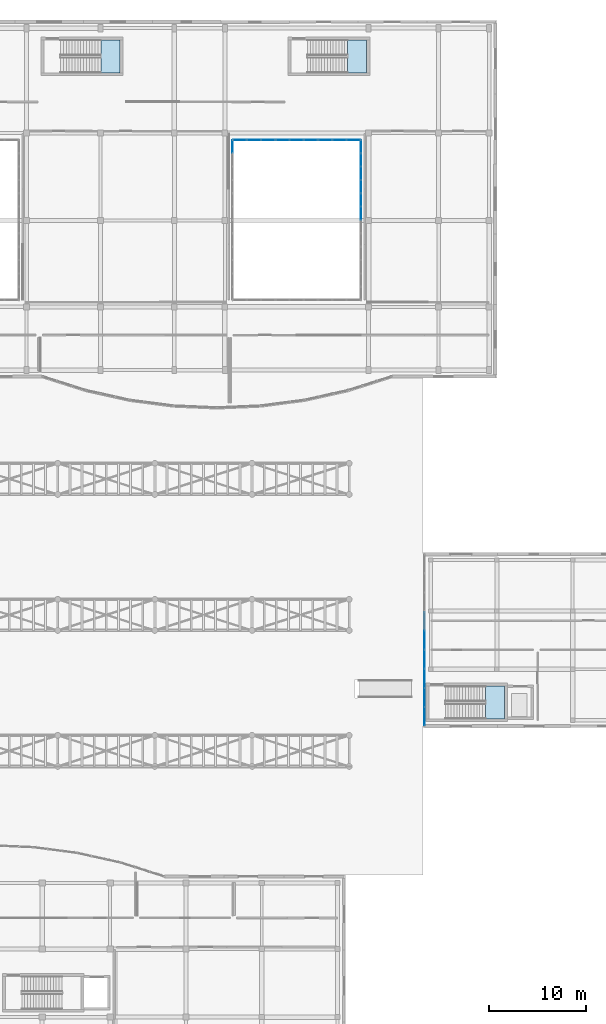
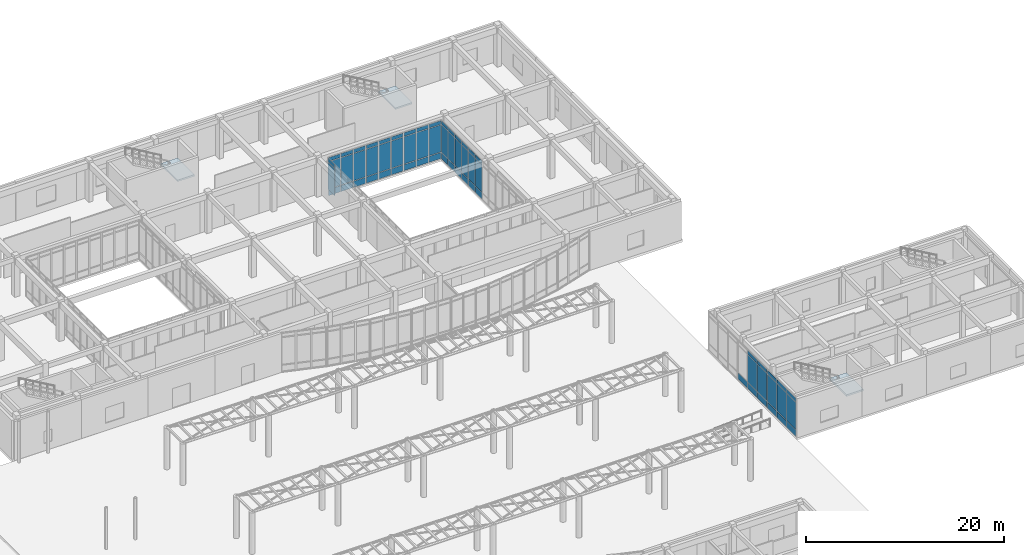
# One storey, part 87 of 121: 63 plates, 3 slabs, 11 elements without a shape of their own.
"""IFC4 building model written with IfcOpenShell, lengths in metres."""

import ifcopenshell
import ifcopenshell.guid

model = None  # the IFC model being written
_history = None  # IfcOwnerHistory: only IFC2X3 demands one
_inside = {}  # id of a spatial element -> (the spatial element, [elements in it])
_under = {}  # id of a project, library or spatial element -> (it, [spatial elements below it])
_declared = {}  # id of a project -> (the project, [libraries it declares])
_typed = {}  # id of a type object -> (the type object, [elements of that type])
_made_of = {}  # id of a material, layer set ... -> (it, [elements and type objects made of it])


def new_model(schema):
    """Start an empty IFC model of exactly this schema.

    Asked for "IFC4X3", IfcOpenShell would pick the latest addendum, in which some entities
    have other attributes; the version numbers below select the first issue.
    IFC2X3 requires an IfcOwnerHistory on every rooted entity: one is made here for all.
    """
    global model, _history
    if schema == "IFC4X3":
        model = ifcopenshell.file(schema_version=(4, 3, 0, 0))
    else:
        model = ifcopenshell.file(schema=schema)
    _inside.clear()
    _under.clear()
    _declared.clear()
    _typed.clear()
    _made_of.clear()
    _history = None
    if model.schema == "IFC2X3":
        org = make("IfcOrganization", Name="unknown")
        user = make(
            "IfcPersonAndOrganization",
            ThePerson=make("IfcPerson", FamilyName="unknown"),
            TheOrganization=org,
        )
        app = make(
            "IfcApplication",
            ApplicationDeveloper=org,
            Version="unknown",
            ApplicationFullName="unknown",
            ApplicationIdentifier="unknown",
        )
        _history = make(
            "IfcOwnerHistory",
            OwningUser=user,
            OwningApplication=app,
            ChangeAction="ADDED",
            CreationDate=0,
        )
    return model


def make(cls, **values):
    """One entity of the class cls with the attributes given. An attribute that is None is left unset."""
    return model.create_entity(
        cls, **{name: value for name, value in values.items() if value is not None}
    )


def rooted(cls, **values):
    """An entity with a GlobalId (a new one), such as an element, a storey or a relation."""
    return make(cls, GlobalId=ifcopenshell.guid.new(), OwnerHistory=_history, **values)


def si_unit(unit_type, name, prefix=None):
    """IfcSIUnit, for example si_unit("LENGTHUNIT", "METRE", prefix="MILLI")."""
    return make("IfcSIUnit", UnitType=unit_type, Prefix=prefix, Name=name)


def assignment(units):
    """IfcUnitAssignment: the units of a project."""
    return None if units is None else make("IfcUnitAssignment", Units=units)


def point(xyz):
    """IfcCartesianPoint."""
    return None if xyz is None else make("IfcCartesianPoint", Coordinates=xyz)


def direction(xyz):
    """IfcDirection."""
    return None if xyz is None else make("IfcDirection", DirectionRatios=xyz)


def frame(location, z_axis=None, x_axis=None):
    """IfcAxis2Placement3D, a coordinate frame: its origin and axes. An axis left out is left unset."""
    return make(
        "IfcAxis2Placement3D",
        Location=point(location),
        Axis=direction(z_axis),
        RefDirection=direction(x_axis),
    )


def frame_2d(location, x_axis=None):
    """IfcAxis2Placement2D, a coordinate frame in the plane: its origin and x axis."""
    return make(
        "IfcAxis2Placement2D", Location=point(location), RefDirection=direction(x_axis)
    )


def origin():
    """The frame at (0, 0, 0) with its axes left unset."""
    return frame((0.0, 0.0, 0.0))


def origin_2d():
    """The frame at (0, 0) in the plane with its x axis left unset."""
    return frame_2d((0.0, 0.0))


def place(relative_to, where):
    """IfcLocalPlacement: puts the frame where relative to a parent placement (None: the world)."""
    return make(
        "IfcLocalPlacement", PlacementRelTo=relative_to, RelativePlacement=where
    )


def context(
    kind, dimensions, precision=None, world=None, true_north=None, identifier=None
):
    """IfcGeometricRepresentationContext, for example the 3D "Model" context."""
    return make(
        "IfcGeometricRepresentationContext",
        ContextIdentifier=identifier,
        ContextType=kind,
        CoordinateSpaceDimension=dimensions,
        Precision=precision,
        WorldCoordinateSystem=world,
        TrueNorth=true_north,
    )


def subcontext(parent, identifier, kind, view, scale=None):
    """IfcGeometricRepresentationSubContext, for example "Body" below "Model"."""
    return make(
        "IfcGeometricRepresentationSubContext",
        ContextIdentifier=identifier,
        ContextType=kind,
        ParentContext=parent,
        TargetScale=scale,
        TargetView=view,
    )


def project(units=None, contexts=None):
    """IfcProject with its units and contexts."""
    return rooted(
        "IfcProject",
        Name="project",
        RepresentationContexts=contexts,
        UnitsInContext=assignment(units),
    )


def spatial(cls, under=None, at=None, **own):
    """A site, building, storey or space (cls), placed at a placement, below another one or the project."""
    s = rooted(cls, ObjectPlacement=at, **own)
    if under is not None:
        _under.setdefault(under.id(), (under, []))[1].append(s)
    return s


def polyline(points):
    """IfcPolyline through the points."""
    return make("IfcPolyline", Points=[point(p) for p in points])


def profile(cls, at=None, kind="AREA", **sizes):
    """A parametric profile (cls). Its sizes go by their IFC names, for example OverallWidth=200.0."""
    return make(cls, ProfileType=kind, Position=at, **sizes)


def rectangle(**sizes):
    """IfcRectangleProfileDef."""
    return profile("IfcRectangleProfileDef", **sizes)


def outline(outer, holes=None, kind="AREA"):
    """IfcArbitraryClosedProfileDef: a profile drawn as a closed curve; with holes, ...WithVoids."""
    if holes is None:
        return make("IfcArbitraryClosedProfileDef", ProfileType=kind, OuterCurve=outer)
    return make(
        "IfcArbitraryProfileDefWithVoids",
        ProfileType=kind,
        OuterCurve=outer,
        InnerCurves=holes,
    )


def extrude(swept, where, along, depth):
    """IfcExtrudedAreaSolid: the profile swept, set in the frame where, extruded along a direction by depth."""
    return make(
        "IfcExtrudedAreaSolid",
        SweptArea=swept,
        Position=where,
        ExtrudedDirection=direction(along),
        Depth=depth,
    )


def shape(context_of_items, identifier, shape_type, items):
    """IfcShapeRepresentation: the items that make up one representation, for example the "Body"."""
    return make(
        "IfcShapeRepresentation",
        ContextOfItems=context_of_items,
        RepresentationIdentifier=identifier,
        RepresentationType=shape_type,
        Items=items,
    )


def material(Name=None, Category=None):
    """IfcMaterial."""
    return make("IfcMaterial", Name=Name, Category=Category)


def layer(
    of_material, thickness, ventilated=None, Name=None, Category=None, Priority=None
):
    """IfcMaterialLayer: one layer of a wall or slab, of a material (None: an air gap)."""
    return make(
        "IfcMaterialLayer",
        Material=of_material,
        LayerThickness=thickness,
        IsVentilated=ventilated,
        Name=Name,
        Category=Category,
        Priority=Priority,
    )


def layer_set(layers, Name=None):
    """IfcMaterialLayerSet."""
    return make("IfcMaterialLayerSet", MaterialLayers=layers, LayerSetName=Name)


def made_of(thing, what):
    """Note that an element or type object is made of a material, layer set ...; save() writes the relation."""
    if what is not None:
        _made_of.setdefault(what.id(), (what, []))[1].append(thing)
    return thing


def type_object(cls, material=None, **own):
    """A type object (cls), such as IfcWallType, which elements share."""
    return made_of(rooted(cls, **own), material)


def element(
    cls,
    number,
    at=None,
    inside=None,
    cuts=None,
    type_object=None,
    material=None,
    context=None,
    identifier="Body",
    shape_type=None,
    held_by="IfcProductDefinitionShape",
    body=None,
    shapes=None,
    **own,
):
    """One element of the class cls, such as IfcWall. Its Tag is "e" and its number.

    at: its placement. inside: the storey or other place that contains it. cuts: it is an
    opening in that element (IfcRelVoidsElement). A single representation is given by context,
    identifier, shape_type and body (its items); several are given by shapes. held_by: the class
    of the entity that holds the representations. save() writes the other relations.
    """
    e = rooted(cls, Tag="e%d" % number, ObjectPlacement=at, **own)
    if body is not None:
        shapes = [shape(context, identifier, shape_type, body)]
    if shapes is not None:
        e.Representation = make(held_by, Representations=shapes)
    if inside is not None:
        _inside.setdefault(inside.id(), (inside, []))[1].append(e)
    if cuts is not None:
        rooted(
            "IfcRelVoidsElement", RelatingBuildingElement=cuts, RelatedOpeningElement=e
        )
    if type_object is not None:
        _typed.setdefault(type_object.id(), (type_object, []))[1].append(e)
    return made_of(e, material)


def aggregate(whole, parts):
    """IfcRelAggregates: a whole, such as a stair, and the parts it consists of."""
    return rooted("IfcRelAggregates", RelatingObject=whole, RelatedObjects=parts)


def save(model, path):
    """Write the relations noted so far, then the file.

    IfcRelAggregates (storeys below a building ...), IfcRelContainedInSpatialStructure (elements
    in a storey), IfcRelDefinesByType, IfcRelAssociatesMaterial and IfcRelDeclares: one each for
    every whole, place, type object, material and project.
    """
    for whole, parts in _under.values():
        aggregate(whole, parts)
    for where, things in _inside.values():
        rooted(
            "IfcRelContainedInSpatialStructure",
            RelatedElements=things,
            RelatingStructure=where,
        )
    for kind, things in _typed.values():
        rooted("IfcRelDefinesByType", RelatedObjects=things, RelatingType=kind)
    for what, things in _made_of.values():
        rooted("IfcRelAssociatesMaterial", RelatedObjects=things, RelatingMaterial=what)
    for by, libraries in _declared.values():
        rooted("IfcRelDeclares", RelatingContext=by, RelatedDefinitions=libraries)
    model.write(path)


model = new_model("IFC4")

# Units and contexts
model_context = context("Model", 3, precision=1e-05, world=origin(), true_north=direction((0.0, 1.0)))
body_context = subcontext(model_context, "Body", "Model", "MODEL_VIEW")
ifc_project = project(units=[si_unit("LENGTHUNIT", "METRE"), si_unit("AREAUNIT", "SQUARE_METRE"), si_unit("VOLUMEUNIT", "CUBIC_METRE"), si_unit("PLANEANGLEUNIT", "RADIAN"), si_unit("MASSUNIT", "GRAM", prefix="KILO")], contexts=[model_context])

# Site, building, storey
site_placement = place(None, origin())
site = spatial("IfcSite", under=ifc_project, at=site_placement, CompositionType="ELEMENT")
building_placement = place(site_placement, origin())
building = spatial("IfcBuilding", under=site, at=building_placement, Name="Valcora Specialist Clinic", CompositionType="ELEMENT")
storey_placement = place(building_placement, origin())
storey = spatial("IfcBuildingStorey", under=building, at=storey_placement, Name="L00", CompositionType="ELEMENT", Elevation=0.0)

# Curtain wall, plates
ifc_material_1 = material(Name="Anodized Bronze Aluminium 6063-T6", Category="aluminium")
ifc_layer_1 = layer(ifc_material_1, 0.175048828125)
ifc_layer_set_1 = layer_set([ifc_layer_1], Name="Anodized Bronze Aluminium 6063-T6")
curtain_wall_type_1 = type_object("IfcCurtainWallType", Name="TY-CW-HAL18", PredefinedType="NOTDEFINED", material=ifc_layer_set_1)
curtain_wall_1_placement = place(storey_placement, origin())
curtain_wall_1 = element("IfcCurtainWall", 1, at=curtain_wall_1_placement, inside=storey, type_object=curtain_wall_type_1, Name="Curtain wall CW-L00-016", PredefinedType="NOTDEFINED")
ifc_material_2 = material(Name="Low-E Laminated Insulating Glass", Category="glass")
ifc_layer_2 = layer(ifc_material_2, 0.028076171875)
ifc_layer_set_2 = layer_set([ifc_layer_2], Name="Low-E Laminated Insulating Glass")
plate_type_1 = type_object("IfcPlateType", Name="TY-CWP-GLZ28", PredefinedType="CURTAIN_PANEL", material=ifc_layer_set_2)
plate_1_placement = place(storey_placement, frame((131.75, 45.049560546875, 0.88232421875), z_axis=(0.0, 0.0, 1.0), x_axis=(0.0, 1.0, 0.0)))
plate_1 = element("IfcPlate", 2, at=plate_1_placement, type_object=plate_type_1, Name="CW-HAL-18 panel 1.2", PredefinedType="CURTAIN_PANEL", context=body_context, shape_type="SweptSolid", body=[
    extrude(rectangle(XDim=1.869140625, YDim=0.028076171875, at=origin_2d()), origin(), (0.0, 0.0, 1.0), 3.360107421875),
])
plate_2_placement = place(storey_placement, frame((131.75, 45.049560546875, 4.3076171875), z_axis=(0.0, 0.0, 1.0), x_axis=(0.0, 1.0, 0.0)))
plate_2 = element("IfcPlate", 3, at=plate_2_placement, type_object=plate_type_1, Name="CW-HAL-18 panel 1.3", PredefinedType="CURTAIN_PANEL", context=body_context, shape_type="SweptSolid", body=[
    extrude(rectangle(XDim=1.869140625, YDim=0.028076171875, at=origin_2d()), origin(), (0.0, 0.0, 1.0), 0.452392578125),
])
plate_3_placement = place(storey_placement, frame((131.75, 47.0, 0.88232421875), z_axis=(0.0, 0.0, 1.0), x_axis=(0.0, 1.0, 0.0)))
plate_3 = element("IfcPlate", 4, at=plate_3_placement, type_object=plate_type_1, Name="CW-HAL-18 panel 2.2", PredefinedType="CURTAIN_PANEL", context=body_context, shape_type="SweptSolid", body=[
    extrude(rectangle(XDim=1.901611328125, YDim=0.028076171875, at=origin_2d()), origin(), (0.0, 0.0, 1.0), 3.360107421875),
])
plate_4_placement = place(storey_placement, frame((131.75, 47.0, 4.3076171875), z_axis=(0.0, 0.0, 1.0), x_axis=(0.0, 1.0, 0.0)))
plate_4 = element("IfcPlate", 5, at=plate_4_placement, type_object=plate_type_1, Name="CW-HAL-18 panel 2.3", PredefinedType="CURTAIN_PANEL", context=body_context, shape_type="SweptSolid", body=[
    extrude(rectangle(XDim=1.901611328125, YDim=0.028076171875, at=origin_2d()), origin(), (0.0, 0.0, 1.0), 0.452392578125),
])

ifc_layer_3 = layer(ifc_material_1, 0.175048828125)
ifc_layer_set_3 = layer_set([ifc_layer_3], Name="Anodized Bronze Aluminium 6063-T6")
curtain_wall_type_2 = type_object("IfcCurtainWallType", Name="TY-CW-CRT15", PredefinedType="NOTDEFINED", material=ifc_layer_set_3)
curtain_wall_2_placement = place(storey_placement, origin())
curtain_wall_2 = element("IfcCurtainWall", 6, at=curtain_wall_2_placement, inside=storey, type_object=curtain_wall_type_2, Name="Curtain wall CW-L00-046", PredefinedType="NOTDEFINED")
plate_5_placement = place(storey_placement, frame((125.199951171875, 93.703857421875, 0.88232421875), z_axis=(0.0, 0.0, 1.0), x_axis=(0.0, 1.0, 0.0)))
plate_5 = element("IfcPlate", 7, at=plate_5_placement, type_object=plate_type_1, Name="CW-CRT-15 panel 1.2", PredefinedType="CURTAIN_PANEL", context=body_context, shape_type="SweptSolid", body=[
    extrude(rectangle(XDim=1.277587890625, YDim=0.028076171875, at=origin_2d()), origin(), (0.0, 0.0, 1.0), 3.344970703125),
])
plate_6_placement = place(storey_placement, frame((125.199951171875, 93.703857421875, 4.29248046875), z_axis=(0.0, 0.0, 1.0), x_axis=(0.0, 1.0, 0.0)))
plate_6 = element("IfcPlate", 8, at=plate_6_placement, type_object=plate_type_1, Name="CW-CRT-15 panel 1.3", PredefinedType="CURTAIN_PANEL", context=body_context, shape_type="SweptSolid", body=[
    extrude(rectangle(XDim=1.277587890625, YDim=0.028076171875, at=origin_2d()), origin(), (0.0, 0.0, 1.0), 0.452392578125),
])
plate_7_placement = place(storey_placement, frame((125.199951171875, 95.0625, 0.88232421875), z_axis=(0.0, 0.0, 1.0), x_axis=(0.0, 1.0, 0.0)))
plate_7 = element("IfcPlate", 9, at=plate_7_placement, type_object=plate_type_1, Name="CW-CRT-15 panel 2.2", PredefinedType="CURTAIN_PANEL", context=body_context, shape_type="SweptSolid", body=[
    extrude(rectangle(XDim=1.31005859375, YDim=0.028076171875, at=origin_2d()), origin(), (0.0, 0.0, 1.0), 3.344970703125),
])
plate_8_placement = place(storey_placement, frame((125.199951171875, 95.0625, 4.29248046875), z_axis=(0.0, 0.0, 1.0), x_axis=(0.0, 1.0, 0.0)))
plate_8 = element("IfcPlate", 10, at=plate_8_placement, type_object=plate_type_1, Name="CW-CRT-15 panel 2.3", PredefinedType="CURTAIN_PANEL", context=body_context, shape_type="SweptSolid", body=[
    extrude(rectangle(XDim=1.31005859375, YDim=0.028076171875, at=origin_2d()), origin(), (0.0, 0.0, 1.0), 0.452392578125),
])
plate_9_placement = place(storey_placement, frame((125.199951171875, 96.4375, 0.88232421875), z_axis=(0.0, 0.0, 1.0), x_axis=(0.0, 1.0, 0.0)))
plate_9 = element("IfcPlate", 11, at=plate_9_placement, type_object=plate_type_1, Name="CW-CRT-15 panel 3.2", PredefinedType="CURTAIN_PANEL", context=body_context, shape_type="SweptSolid", body=[
    extrude(rectangle(XDim=1.31005859375, YDim=0.028076171875, at=origin_2d()), origin(), (0.0, 0.0, 1.0), 3.344970703125),
])
plate_10_placement = place(storey_placement, frame((125.199951171875, 96.4375, 4.29248046875), z_axis=(0.0, 0.0, 1.0), x_axis=(0.0, 1.0, 0.0)))
plate_10 = element("IfcPlate", 12, at=plate_10_placement, type_object=plate_type_1, Name="CW-CRT-15 panel 3.3", PredefinedType="CURTAIN_PANEL", context=body_context, shape_type="SweptSolid", body=[
    extrude(rectangle(XDim=1.31005859375, YDim=0.028076171875, at=origin_2d()), origin(), (0.0, 0.0, 1.0), 0.452392578125),
])
plate_11_placement = place(storey_placement, frame((125.199951171875, 97.796142578125, 0.88232421875), z_axis=(0.0, 0.0, 1.0), x_axis=(0.0, 1.0, 0.0)))
plate_11 = element("IfcPlate", 13, at=plate_11_placement, type_object=plate_type_1, Name="CW-CRT-15 panel 4.2", PredefinedType="CURTAIN_PANEL", context=body_context, shape_type="SweptSolid", body=[
    extrude(rectangle(XDim=1.277587890625, YDim=0.028076171875, at=origin_2d()), origin(), (0.0, 0.0, 1.0), 3.344970703125),
])
plate_12_placement = place(storey_placement, frame((125.199951171875, 97.796142578125, 4.29248046875), z_axis=(0.0, 0.0, 1.0), x_axis=(0.0, 1.0, 0.0)))
plate_12 = element("IfcPlate", 14, at=plate_12_placement, type_object=plate_type_1, Name="CW-CRT-15 panel 4.3", PredefinedType="CURTAIN_PANEL", context=body_context, shape_type="SweptSolid", body=[
    extrude(rectangle(XDim=1.277587890625, YDim=0.028076171875, at=origin_2d()), origin(), (0.0, 0.0, 1.0), 0.452392578125),
])

curtain_wall_3_placement = place(storey_placement, origin())
curtain_wall_3 = element("IfcCurtainWall", 15, at=curtain_wall_3_placement, inside=storey, type_object=curtain_wall_type_2, Name="Curtain wall CW-L00-048", PredefinedType="NOTDEFINED")
plate_13_placement = place(storey_placement, frame((120.050537109375, 98.5, 0.88232421875), z_axis=(0.0, 0.0, 1.0), x_axis=(-1.0, 0.0, 0.0)))
plate_13 = element("IfcPlate", 16, at=plate_13_placement, type_object=plate_type_1, Name="CW-CRT-15 panel 1.2", PredefinedType="CURTAIN_PANEL", context=body_context, shape_type="SweptSolid", body=[
    extrude(rectangle(XDim=1.369140625, YDim=0.028076171875, at=origin_2d()), origin(), (0.0, 0.0, 1.0), 3.344970703125),
])
plate_14_placement = place(storey_placement, frame((120.050537109375, 98.5, 4.29248046875), z_axis=(0.0, 0.0, 1.0), x_axis=(-1.0, 0.0, 0.0)))
plate_14 = element("IfcPlate", 17, at=plate_14_placement, type_object=plate_type_1, Name="CW-CRT-15 panel 1.3", PredefinedType="CURTAIN_PANEL", context=body_context, shape_type="SweptSolid", body=[
    extrude(rectangle(XDim=1.369140625, YDim=0.028076171875, at=origin_2d()), origin(), (0.0, 0.0, 1.0), 0.452392578125),
])
plate_15_placement = place(storey_placement, frame((118.60009765625, 98.5, 0.88232421875), z_axis=(0.0, 0.0, 1.0), x_axis=(-1.0, 0.0, 0.0)))
plate_15 = element("IfcPlate", 18, at=plate_15_placement, type_object=plate_type_1, Name="CW-CRT-15 panel 2.2", PredefinedType="CURTAIN_PANEL", context=body_context, shape_type="SweptSolid", body=[
    extrude(rectangle(XDim=1.401611328125, YDim=0.028076171875, at=origin_2d()), origin(), (0.0, 0.0, 1.0), 3.344970703125),
])
plate_16_placement = place(storey_placement, frame((118.60009765625, 98.5, 4.29248046875), z_axis=(0.0, 0.0, 1.0), x_axis=(-1.0, 0.0, 0.0)))
plate_16 = element("IfcPlate", 19, at=plate_16_placement, type_object=plate_type_1, Name="CW-CRT-15 panel 2.3", PredefinedType="CURTAIN_PANEL", context=body_context, shape_type="SweptSolid", body=[
    extrude(rectangle(XDim=1.401611328125, YDim=0.028076171875, at=origin_2d()), origin(), (0.0, 0.0, 1.0), 0.452392578125),
])
plate_17_placement = place(storey_placement, frame((117.149658203125, 98.5, 0.88232421875), z_axis=(0.0, 0.0, 1.0), x_axis=(-1.0, 0.0, 0.0)))
plate_17 = element("IfcPlate", 20, at=plate_17_placement, type_object=plate_type_1, Name="CW-CRT-15 panel 3.2", PredefinedType="CURTAIN_PANEL", context=body_context, shape_type="SweptSolid", body=[
    extrude(rectangle(XDim=1.369140625, YDim=0.028076171875, at=origin_2d()), origin(), (0.0, 0.0, 1.0), 3.344970703125),
])
plate_18_placement = place(storey_placement, frame((117.149658203125, 98.5, 4.29248046875), z_axis=(0.0, 0.0, 1.0), x_axis=(-1.0, 0.0, 0.0)))
plate_18 = element("IfcPlate", 21, at=plate_18_placement, type_object=plate_type_1, Name="CW-CRT-15 panel 3.3", PredefinedType="CURTAIN_PANEL", context=body_context, shape_type="SweptSolid", body=[
    extrude(rectangle(XDim=1.369140625, YDim=0.028076171875, at=origin_2d()), origin(), (0.0, 0.0, 1.0), 0.452392578125),
])

curtain_wall_4_placement = place(storey_placement, origin())
curtain_wall_4 = element("IfcCurtainWall", 22, at=curtain_wall_4_placement, inside=storey, type_object=curtain_wall_type_2, Name="Curtain wall CW-L00-050", PredefinedType="NOTDEFINED")
plate_19_placement = place(storey_placement, frame((112.0, 97.796142578125, 0.88232421875), z_axis=(0.0, 0.0, 1.0), x_axis=(0.0, -1.0, 0.0)))
plate_19 = element("IfcPlate", 23, at=plate_19_placement, type_object=plate_type_1, Name="CW-CRT-15 panel 1.2", PredefinedType="CURTAIN_PANEL", context=body_context, shape_type="SweptSolid", body=[
    extrude(rectangle(XDim=1.277587890625, YDim=0.028076171875, at=origin_2d()), origin(), (0.0, 0.0, 1.0), 3.344970703125),
])
plate_20_placement = place(storey_placement, frame((112.0, 97.796142578125, 4.29248046875), z_axis=(0.0, 0.0, 1.0), x_axis=(0.0, -1.0, 0.0)))
plate_20 = element("IfcPlate", 24, at=plate_20_placement, type_object=plate_type_1, Name="CW-CRT-15 panel 1.3", PredefinedType="CURTAIN_PANEL", context=body_context, shape_type="SweptSolid", body=[
    extrude(rectangle(XDim=1.277587890625, YDim=0.028076171875, at=origin_2d()), origin(), (0.0, 0.0, 1.0), 0.452392578125),
])
aggregate(curtain_wall_4, [plate_19, plate_20])

curtain_wall_5_placement = place(storey_placement, origin())
curtain_wall_5 = element("IfcCurtainWall", 25, at=curtain_wall_5_placement, inside=storey, type_object=curtain_wall_type_1, Name="Curtain wall CW-L00-015", PredefinedType="NOTDEFINED")
ifc_layer_4 = layer(ifc_material_2, 0.033935546875)
ifc_layer_set_4 = layer_set([ifc_layer_4], Name="Low-E Laminated Insulating Glass")
plate_type_2 = type_object("IfcPlateType", Name="TY-CWP-GLZ34", PredefinedType="CURTAIN_PANEL", material=ifc_layer_set_4)
plate_21_placement = place(storey_placement, frame((131.75, 39.149658203125, 0.88232421875), z_axis=(0.0, 0.0, 1.0), x_axis=(0.0, 1.0, 0.0)))
plate_21 = element("IfcPlate", 26, at=plate_21_placement, type_object=plate_type_2, Name="CW-HAL-18 panel 1.2", PredefinedType="CURTAIN_PANEL", context=body_context, shape_type="SweptSolid", body=[
    extrude(rectangle(XDim=1.869140625, YDim=0.033935546875, at=origin_2d()), origin(), (0.0, 0.0, 1.0), 3.360107421875),
])
plate_22_placement = place(storey_placement, frame((131.75, 39.149658203125, 4.3076171875), z_axis=(0.0, 0.0, 1.0), x_axis=(0.0, 1.0, 0.0)))
plate_22 = element("IfcPlate", 27, at=plate_22_placement, type_object=plate_type_2, Name="CW-HAL-18 panel 1.3", PredefinedType="CURTAIN_PANEL", context=body_context, shape_type="SweptSolid", body=[
    extrude(rectangle(XDim=1.869140625, YDim=0.033935546875, at=origin_2d()), origin(), (0.0, 0.0, 1.0), 0.452392578125),
])
plate_23_placement = place(storey_placement, frame((131.75, 41.10009765625, 0.88232421875), z_axis=(0.0, 0.0, 1.0), x_axis=(0.0, 1.0, 0.0)))
plate_23 = element("IfcPlate", 28, at=plate_23_placement, type_object=plate_type_2, Name="CW-HAL-18 panel 2.2", PredefinedType="CURTAIN_PANEL", context=body_context, shape_type="SweptSolid", body=[
    extrude(rectangle(XDim=1.901611328125, YDim=0.033935546875, at=origin_2d()), origin(), (0.0, 0.0, 1.0), 3.360107421875),
])
plate_24_placement = place(storey_placement, frame((131.75, 41.10009765625, 4.3076171875), z_axis=(0.0, 0.0, 1.0), x_axis=(0.0, 1.0, 0.0)))
plate_24 = element("IfcPlate", 29, at=plate_24_placement, type_object=plate_type_2, Name="CW-HAL-18 panel 2.3", PredefinedType="CURTAIN_PANEL", context=body_context, shape_type="SweptSolid", body=[
    extrude(rectangle(XDim=1.901611328125, YDim=0.033935546875, at=origin_2d()), origin(), (0.0, 0.0, 1.0), 0.452392578125),
])
plate_25_placement = place(storey_placement, frame((131.75, 43.050537109375, 0.88232421875), z_axis=(0.0, 0.0, 1.0), x_axis=(0.0, 1.0, 0.0)))
plate_25 = element("IfcPlate", 30, at=plate_25_placement, type_object=plate_type_2, Name="CW-HAL-18 panel 3.2", PredefinedType="CURTAIN_PANEL", context=body_context, shape_type="SweptSolid", body=[
    extrude(rectangle(XDim=1.869140625, YDim=0.033935546875, at=origin_2d()), origin(), (0.0, 0.0, 1.0), 3.360107421875),
])
plate_26_placement = place(storey_placement, frame((131.75, 43.050537109375, 4.3076171875), z_axis=(0.0, 0.0, 1.0), x_axis=(0.0, 1.0, 0.0)))
plate_26 = element("IfcPlate", 31, at=plate_26_placement, type_object=plate_type_2, Name="CW-HAL-18 panel 3.3", PredefinedType="CURTAIN_PANEL", context=body_context, shape_type="SweptSolid", body=[
    extrude(rectangle(XDim=1.869140625, YDim=0.033935546875, at=origin_2d()), origin(), (0.0, 0.0, 1.0), 0.452392578125),
])

curtain_wall_6_placement = place(storey_placement, origin())
curtain_wall_6 = element("IfcCurtainWall", 32, at=curtain_wall_6_placement, inside=storey, type_object=curtain_wall_type_2, Name="Curtain wall CW-L00-045", PredefinedType="NOTDEFINED")
plate_27_placement = place(storey_placement, frame((125.199951171875, 90.9375, 0.88232421875), z_axis=(0.0, 0.0, 1.0), x_axis=(0.0, 1.0, 0.0)))
plate_27 = element("IfcPlate", 33, at=plate_27_placement, type_object=plate_type_2, Name="CW-CRT-15 panel 3.2", PredefinedType="CURTAIN_PANEL", context=body_context, shape_type="SweptSolid", body=[
    extrude(rectangle(XDim=1.31005859375, YDim=0.033935546875, at=origin_2d()), origin(), (0.0, 0.0, 1.0), 3.344970703125),
])
plate_28_placement = place(storey_placement, frame((125.199951171875, 90.9375, 4.29248046875), z_axis=(0.0, 0.0, 1.0), x_axis=(0.0, 1.0, 0.0)))
plate_28 = element("IfcPlate", 34, at=plate_28_placement, type_object=plate_type_2, Name="CW-CRT-15 panel 3.3", PredefinedType="CURTAIN_PANEL", context=body_context, shape_type="SweptSolid", body=[
    extrude(rectangle(XDim=1.31005859375, YDim=0.033935546875, at=origin_2d()), origin(), (0.0, 0.0, 1.0), 0.452392578125),
])
plate_29_placement = place(storey_placement, frame((125.199951171875, 92.296142578125, 0.88232421875), z_axis=(0.0, 0.0, 1.0), x_axis=(0.0, 1.0, 0.0)))
plate_29 = element("IfcPlate", 35, at=plate_29_placement, type_object=plate_type_2, Name="CW-CRT-15 panel 4.2", PredefinedType="CURTAIN_PANEL", context=body_context, shape_type="SweptSolid", body=[
    extrude(rectangle(XDim=1.277587890625, YDim=0.033935546875, at=origin_2d()), origin(), (0.0, 0.0, 1.0), 3.344970703125),
])
plate_30_placement = place(storey_placement, frame((125.199951171875, 92.296142578125, 4.29248046875), z_axis=(0.0, 0.0, 1.0), x_axis=(0.0, 1.0, 0.0)))
plate_30 = element("IfcPlate", 36, at=plate_30_placement, type_object=plate_type_2, Name="CW-CRT-15 panel 4.3", PredefinedType="CURTAIN_PANEL", context=body_context, shape_type="SweptSolid", body=[
    extrude(rectangle(XDim=1.277587890625, YDim=0.033935546875, at=origin_2d()), origin(), (0.0, 0.0, 1.0), 0.452392578125),
])

curtain_wall_7_placement = place(storey_placement, origin())
curtain_wall_7 = element("IfcCurtainWall", 37, at=curtain_wall_7_placement, inside=storey, type_object=curtain_wall_type_2, Name="Curtain wall CW-L00-047", PredefinedType="NOTDEFINED")
plate_31_placement = place(storey_placement, frame((124.450439453125, 98.5, 0.88232421875), z_axis=(0.0, 0.0, 1.0), x_axis=(-1.0, 0.0, 0.0)))
plate_31 = element("IfcPlate", 38, at=plate_31_placement, type_object=plate_type_2, Name="CW-CRT-15 panel 1.2", PredefinedType="CURTAIN_PANEL", context=body_context, shape_type="SweptSolid", body=[
    extrude(rectangle(XDim=1.369140625, YDim=0.033935546875, at=origin_2d()), origin(), (0.0, 0.0, 1.0), 3.344970703125),
])
plate_32_placement = place(storey_placement, frame((124.450439453125, 98.5, 4.29248046875), z_axis=(0.0, 0.0, 1.0), x_axis=(-1.0, 0.0, 0.0)))
plate_32 = element("IfcPlate", 39, at=plate_32_placement, type_object=plate_type_2, Name="CW-CRT-15 panel 1.3", PredefinedType="CURTAIN_PANEL", context=body_context, shape_type="SweptSolid", body=[
    extrude(rectangle(XDim=1.369140625, YDim=0.033935546875, at=origin_2d()), origin(), (0.0, 0.0, 1.0), 0.452392578125),
])
plate_33_placement = place(storey_placement, frame((123.0, 98.5, 0.88232421875), z_axis=(0.0, 0.0, 1.0), x_axis=(-1.0, 0.0, 0.0)))
plate_33 = element("IfcPlate", 40, at=plate_33_placement, type_object=plate_type_2, Name="CW-CRT-15 panel 2.2", PredefinedType="CURTAIN_PANEL", context=body_context, shape_type="SweptSolid", body=[
    extrude(rectangle(XDim=1.401611328125, YDim=0.033935546875, at=origin_2d()), origin(), (0.0, 0.0, 1.0), 3.344970703125),
])
plate_34_placement = place(storey_placement, frame((123.0, 98.5, 4.29248046875), z_axis=(0.0, 0.0, 1.0), x_axis=(-1.0, 0.0, 0.0)))
plate_34 = element("IfcPlate", 41, at=plate_34_placement, type_object=plate_type_2, Name="CW-CRT-15 panel 2.3", PredefinedType="CURTAIN_PANEL", context=body_context, shape_type="SweptSolid", body=[
    extrude(rectangle(XDim=1.401611328125, YDim=0.033935546875, at=origin_2d()), origin(), (0.0, 0.0, 1.0), 0.452392578125),
])
plate_35_placement = place(storey_placement, frame((121.549560546875, 98.5, 0.88232421875), z_axis=(0.0, 0.0, 1.0), x_axis=(-1.0, 0.0, 0.0)))
plate_35 = element("IfcPlate", 42, at=plate_35_placement, type_object=plate_type_2, Name="CW-CRT-15 panel 3.2", PredefinedType="CURTAIN_PANEL", context=body_context, shape_type="SweptSolid", body=[
    extrude(rectangle(XDim=1.369140625, YDim=0.033935546875, at=origin_2d()), origin(), (0.0, 0.0, 1.0), 3.344970703125),
])
plate_36_placement = place(storey_placement, frame((121.549560546875, 98.5, 4.29248046875), z_axis=(0.0, 0.0, 1.0), x_axis=(-1.0, 0.0, 0.0)))
plate_36 = element("IfcPlate", 43, at=plate_36_placement, type_object=plate_type_2, Name="CW-CRT-15 panel 3.3", PredefinedType="CURTAIN_PANEL", context=body_context, shape_type="SweptSolid", body=[
    extrude(rectangle(XDim=1.369140625, YDim=0.033935546875, at=origin_2d()), origin(), (0.0, 0.0, 1.0), 0.452392578125),
])

curtain_wall_8_placement = place(storey_placement, origin())
curtain_wall_8 = element("IfcCurtainWall", 44, at=curtain_wall_8_placement, inside=storey, type_object=curtain_wall_type_2, Name="Curtain wall CW-L00-049", PredefinedType="NOTDEFINED")
plate_37_placement = place(storey_placement, frame((115.650390625, 98.5, 0.88232421875), z_axis=(0.0, 0.0, 1.0), x_axis=(-1.0, 0.0, 0.0)))
plate_37 = element("IfcPlate", 45, at=plate_37_placement, type_object=plate_type_2, Name="CW-CRT-15 panel 1.2", PredefinedType="CURTAIN_PANEL", context=body_context, shape_type="SweptSolid", body=[
    extrude(rectangle(XDim=1.369140625, YDim=0.033935546875, at=origin_2d()), origin(), (0.0, 0.0, 1.0), 3.344970703125),
])
plate_38_placement = place(storey_placement, frame((115.650390625, 98.5, 4.29248046875), z_axis=(0.0, 0.0, 1.0), x_axis=(-1.0, 0.0, 0.0)))
plate_38 = element("IfcPlate", 46, at=plate_38_placement, type_object=plate_type_2, Name="CW-CRT-15 panel 1.3", PredefinedType="CURTAIN_PANEL", context=body_context, shape_type="SweptSolid", body=[
    extrude(rectangle(XDim=1.369140625, YDim=0.033935546875, at=origin_2d()), origin(), (0.0, 0.0, 1.0), 0.452392578125),
])
plate_39_placement = place(storey_placement, frame((114.199951171875, 98.5, 0.88232421875), z_axis=(0.0, 0.0, 1.0), x_axis=(-1.0, 0.0, 0.0)))
plate_39 = element("IfcPlate", 47, at=plate_39_placement, type_object=plate_type_2, Name="CW-CRT-15 panel 2.2", PredefinedType="CURTAIN_PANEL", context=body_context, shape_type="SweptSolid", body=[
    extrude(rectangle(XDim=1.401611328125, YDim=0.033935546875, at=origin_2d()), origin(), (0.0, 0.0, 1.0), 3.344970703125),
])
plate_40_placement = place(storey_placement, frame((114.199951171875, 98.5, 4.29248046875), z_axis=(0.0, 0.0, 1.0), x_axis=(-1.0, 0.0, 0.0)))
plate_40 = element("IfcPlate", 48, at=plate_40_placement, type_object=plate_type_2, Name="CW-CRT-15 panel 2.3", PredefinedType="CURTAIN_PANEL", context=body_context, shape_type="SweptSolid", body=[
    extrude(rectangle(XDim=1.401611328125, YDim=0.033935546875, at=origin_2d()), origin(), (0.0, 0.0, 1.0), 0.452392578125),
])
plate_41_placement = place(storey_placement, frame((112.74951171875, 98.5, 0.88232421875), z_axis=(0.0, 0.0, 1.0), x_axis=(-1.0, 0.0, 0.0)))
plate_41 = element("IfcPlate", 49, at=plate_41_placement, type_object=plate_type_2, Name="CW-CRT-15 panel 3.2", PredefinedType="CURTAIN_PANEL", context=body_context, shape_type="SweptSolid", body=[
    extrude(rectangle(XDim=1.369140625, YDim=0.033935546875, at=origin_2d()), origin(), (0.0, 0.0, 1.0), 3.344970703125),
])
plate_42_placement = place(storey_placement, frame((112.74951171875, 98.5, 4.29248046875), z_axis=(0.0, 0.0, 1.0), x_axis=(-1.0, 0.0, 0.0)))
plate_42 = element("IfcPlate", 50, at=plate_42_placement, type_object=plate_type_2, Name="CW-CRT-15 panel 3.3", PredefinedType="CURTAIN_PANEL", context=body_context, shape_type="SweptSolid", body=[
    extrude(rectangle(XDim=1.369140625, YDim=0.033935546875, at=origin_2d()), origin(), (0.0, 0.0, 1.0), 0.452392578125),
])

# Plate
ifc_material_3 = material(Name="Insulated Spandrel Panel")
ifc_layer_5 = layer(ifc_material_3, 0.044921875)
ifc_layer_set_5 = layer_set([ifc_layer_5], Name="Insulated Spandrel Panel")
plate_type_3 = type_object("IfcPlateType", Name="TY-CWP-SPN45", PredefinedType="SHEET", material=ifc_layer_set_5)
plate_43_placement = place(storey_placement, frame((131.75, 39.149658203125, 0.06494140625), z_axis=(0.0, 0.0, 1.0), x_axis=(0.0, 1.0, 0.0)))
plate_43 = element("IfcPlate", 51, at=plate_43_placement, type_object=plate_type_3, Name="CW-HAL-18 panel 1.1", PredefinedType="SHEET", context=body_context, shape_type="SweptSolid", body=[
    extrude(rectangle(XDim=1.869140625, YDim=0.044921875, at=origin_2d()), origin(), (0.0, 0.0, 1.0), 0.75244140625),
])

plate_44_placement = place(storey_placement, frame((131.75, 41.10009765625, 0.06494140625), z_axis=(0.0, 0.0, 1.0), x_axis=(0.0, 1.0, 0.0)))
plate_44 = element("IfcPlate", 52, at=plate_44_placement, type_object=plate_type_3, Name="CW-HAL-18 panel 2.1", PredefinedType="SHEET", context=body_context, shape_type="SweptSolid", body=[
    extrude(rectangle(XDim=1.901611328125, YDim=0.044921875, at=origin_2d()), origin(), (0.0, 0.0, 1.0), 0.75244140625),
])

plate_45_placement = place(storey_placement, frame((131.75, 43.050537109375, 0.06494140625), z_axis=(0.0, 0.0, 1.0), x_axis=(0.0, 1.0, 0.0)))
plate_45 = element("IfcPlate", 53, at=plate_45_placement, type_object=plate_type_3, Name="CW-HAL-18 panel 3.1", PredefinedType="SHEET", context=body_context, shape_type="SweptSolid", body=[
    extrude(rectangle(XDim=1.869140625, YDim=0.044921875, at=origin_2d()), origin(), (0.0, 0.0, 1.0), 0.75244140625),
])

aggregate(curtain_wall_5, [plate_43, plate_21, plate_22, plate_44, plate_23, plate_24, plate_45, plate_25, plate_26])

plate_46_placement = place(storey_placement, frame((131.75, 45.049560546875, 0.06494140625), z_axis=(0.0, 0.0, 1.0), x_axis=(0.0, 1.0, 0.0)))
plate_46 = element("IfcPlate", 54, at=plate_46_placement, type_object=plate_type_3, Name="CW-HAL-18 panel 1.1", PredefinedType="SHEET", context=body_context, shape_type="SweptSolid", body=[
    extrude(rectangle(XDim=1.869140625, YDim=0.044921875, at=origin_2d()), origin(), (0.0, 0.0, 1.0), 0.75244140625),
])

plate_47_placement = place(storey_placement, frame((131.75, 47.0, 0.06494140625), z_axis=(0.0, 0.0, 1.0), x_axis=(0.0, 1.0, 0.0)))
plate_47 = element("IfcPlate", 55, at=plate_47_placement, type_object=plate_type_3, Name="CW-HAL-18 panel 2.1", PredefinedType="SHEET", context=body_context, shape_type="SweptSolid", body=[
    extrude(rectangle(XDim=1.901611328125, YDim=0.044921875, at=origin_2d()), origin(), (0.0, 0.0, 1.0), 0.75244140625),
])

plate_48_placement = place(storey_placement, frame((131.75, 48.950439453125, 0.06494140625), z_axis=(0.0, 0.0, 1.0), x_axis=(0.0, 1.0, 0.0)))
plate_48 = element("IfcPlate", 56, at=plate_48_placement, type_object=plate_type_3, Name="CW-HAL-18 panel 3.1", PredefinedType="SHEET", context=body_context, shape_type="SweptSolid", body=[
    extrude(rectangle(XDim=1.869140625, YDim=0.044921875, at=origin_2d()), origin(), (0.0, 0.0, 1.0), 0.75244140625),
])

aggregate(curtain_wall_1, [plate_46, plate_1, plate_2, plate_47, plate_3, plate_4, plate_48])

plate_49_placement = place(storey_placement, frame((125.199951171875, 90.9375, 0.06494140625), z_axis=(0.0, 0.0, 1.0), x_axis=(0.0, 1.0, 0.0)))
plate_49 = element("IfcPlate", 57, at=plate_49_placement, type_object=plate_type_3, Name="CW-CRT-15 panel 3.1", PredefinedType="SHEET", context=body_context, shape_type="SweptSolid", body=[
    extrude(rectangle(XDim=1.31005859375, YDim=0.044921875, at=origin_2d()), origin(), (0.0, 0.0, 1.0), 0.75244140625),
])

plate_50_placement = place(storey_placement, frame((125.199951171875, 92.296142578125, 0.06494140625), z_axis=(0.0, 0.0, 1.0), x_axis=(0.0, 1.0, 0.0)))
plate_50 = element("IfcPlate", 58, at=plate_50_placement, type_object=plate_type_3, Name="CW-CRT-15 panel 4.1", PredefinedType="SHEET", context=body_context, shape_type="SweptSolid", body=[
    extrude(rectangle(XDim=1.277587890625, YDim=0.044921875, at=origin_2d()), origin(), (0.0, 0.0, 1.0), 0.75244140625),
])

aggregate(curtain_wall_6, [plate_49, plate_27, plate_28, plate_50, plate_29, plate_30])

plate_51_placement = place(storey_placement, frame((125.199951171875, 93.703857421875, 0.06494140625), z_axis=(0.0, 0.0, 1.0), x_axis=(0.0, 1.0, 0.0)))
plate_51 = element("IfcPlate", 59, at=plate_51_placement, type_object=plate_type_3, Name="CW-CRT-15 panel 1.1", PredefinedType="SHEET", context=body_context, shape_type="SweptSolid", body=[
    extrude(rectangle(XDim=1.277587890625, YDim=0.044921875, at=origin_2d()), origin(), (0.0, 0.0, 1.0), 0.75244140625),
])

plate_52_placement = place(storey_placement, frame((125.199951171875, 95.0625, 0.06494140625), z_axis=(0.0, 0.0, 1.0), x_axis=(0.0, 1.0, 0.0)))
plate_52 = element("IfcPlate", 60, at=plate_52_placement, type_object=plate_type_3, Name="CW-CRT-15 panel 2.1", PredefinedType="SHEET", context=body_context, shape_type="SweptSolid", body=[
    extrude(rectangle(XDim=1.31005859375, YDim=0.044921875, at=origin_2d()), origin(), (0.0, 0.0, 1.0), 0.75244140625),
])

plate_53_placement = place(storey_placement, frame((125.199951171875, 96.4375, 0.06494140625), z_axis=(0.0, 0.0, 1.0), x_axis=(0.0, 1.0, 0.0)))
plate_53 = element("IfcPlate", 61, at=plate_53_placement, type_object=plate_type_3, Name="CW-CRT-15 panel 3.1", PredefinedType="SHEET", context=body_context, shape_type="SweptSolid", body=[
    extrude(rectangle(XDim=1.31005859375, YDim=0.044921875, at=origin_2d()), origin(), (0.0, 0.0, 1.0), 0.75244140625),
])

plate_54_placement = place(storey_placement, frame((125.199951171875, 97.796142578125, 0.06494140625), z_axis=(0.0, 0.0, 1.0), x_axis=(0.0, 1.0, 0.0)))
plate_54 = element("IfcPlate", 62, at=plate_54_placement, type_object=plate_type_3, Name="CW-CRT-15 panel 4.1", PredefinedType="SHEET", context=body_context, shape_type="SweptSolid", body=[
    extrude(rectangle(XDim=1.277587890625, YDim=0.044921875, at=origin_2d()), origin(), (0.0, 0.0, 1.0), 0.75244140625),
])

aggregate(curtain_wall_2, [plate_51, plate_5, plate_6, plate_52, plate_7, plate_8, plate_53, plate_9, plate_10, plate_54, plate_11, plate_12])

plate_55_placement = place(storey_placement, frame((124.450439453125, 98.5, 0.06494140625), z_axis=(0.0, 0.0, 1.0), x_axis=(-1.0, 0.0, 0.0)))
plate_55 = element("IfcPlate", 63, at=plate_55_placement, type_object=plate_type_3, Name="CW-CRT-15 panel 1.1", PredefinedType="SHEET", context=body_context, shape_type="SweptSolid", body=[
    extrude(rectangle(XDim=1.369140625, YDim=0.044921875, at=origin_2d()), origin(), (0.0, 0.0, 1.0), 0.75244140625),
])

plate_56_placement = place(storey_placement, frame((123.0, 98.5, 0.06494140625), z_axis=(0.0, 0.0, 1.0), x_axis=(-1.0, 0.0, 0.0)))
plate_56 = element("IfcPlate", 64, at=plate_56_placement, type_object=plate_type_3, Name="CW-CRT-15 panel 2.1", PredefinedType="SHEET", context=body_context, shape_type="SweptSolid", body=[
    extrude(rectangle(XDim=1.401611328125, YDim=0.044921875, at=origin_2d()), origin(), (0.0, 0.0, 1.0), 0.75244140625),
])

plate_57_placement = place(storey_placement, frame((121.549560546875, 98.5, 0.06494140625), z_axis=(0.0, 0.0, 1.0), x_axis=(-1.0, 0.0, 0.0)))
plate_57 = element("IfcPlate", 65, at=plate_57_placement, type_object=plate_type_3, Name="CW-CRT-15 panel 3.1", PredefinedType="SHEET", context=body_context, shape_type="SweptSolid", body=[
    extrude(rectangle(XDim=1.369140625, YDim=0.044921875, at=origin_2d()), origin(), (0.0, 0.0, 1.0), 0.75244140625),
])

aggregate(curtain_wall_7, [plate_55, plate_31, plate_32, plate_56, plate_33, plate_34, plate_57, plate_35, plate_36])

plate_58_placement = place(storey_placement, frame((120.050537109375, 98.5, 0.06494140625), z_axis=(0.0, 0.0, 1.0), x_axis=(-1.0, 0.0, 0.0)))
plate_58 = element("IfcPlate", 66, at=plate_58_placement, type_object=plate_type_3, Name="CW-CRT-15 panel 1.1", PredefinedType="SHEET", context=body_context, shape_type="SweptSolid", body=[
    extrude(rectangle(XDim=1.369140625, YDim=0.044921875, at=origin_2d()), origin(), (0.0, 0.0, 1.0), 0.75244140625),
])

plate_59_placement = place(storey_placement, frame((118.60009765625, 98.5, 0.06494140625), z_axis=(0.0, 0.0, 1.0), x_axis=(-1.0, 0.0, 0.0)))
plate_59 = element("IfcPlate", 67, at=plate_59_placement, type_object=plate_type_3, Name="CW-CRT-15 panel 2.1", PredefinedType="SHEET", context=body_context, shape_type="SweptSolid", body=[
    extrude(rectangle(XDim=1.401611328125, YDim=0.044921875, at=origin_2d()), origin(), (0.0, 0.0, 1.0), 0.75244140625),
])

plate_60_placement = place(storey_placement, frame((117.149658203125, 98.5, 0.06494140625), z_axis=(0.0, 0.0, 1.0), x_axis=(-1.0, 0.0, 0.0)))
plate_60 = element("IfcPlate", 68, at=plate_60_placement, type_object=plate_type_3, Name="CW-CRT-15 panel 3.1", PredefinedType="SHEET", context=body_context, shape_type="SweptSolid", body=[
    extrude(rectangle(XDim=1.369140625, YDim=0.044921875, at=origin_2d()), origin(), (0.0, 0.0, 1.0), 0.75244140625),
])

aggregate(curtain_wall_3, [plate_58, plate_13, plate_14, plate_59, plate_15, plate_16, plate_60, plate_17, plate_18])

plate_61_placement = place(storey_placement, frame((115.650390625, 98.5, 0.06494140625), z_axis=(0.0, 0.0, 1.0), x_axis=(-1.0, 0.0, 0.0)))
plate_61 = element("IfcPlate", 69, at=plate_61_placement, type_object=plate_type_3, Name="CW-CRT-15 panel 1.1", PredefinedType="SHEET", context=body_context, shape_type="SweptSolid", body=[
    extrude(rectangle(XDim=1.369140625, YDim=0.044921875, at=origin_2d()), origin(), (0.0, 0.0, 1.0), 0.75244140625),
])

plate_62_placement = place(storey_placement, frame((114.199951171875, 98.5, 0.06494140625), z_axis=(0.0, 0.0, 1.0), x_axis=(-1.0, 0.0, 0.0)))
plate_62 = element("IfcPlate", 70, at=plate_62_placement, type_object=plate_type_3, Name="CW-CRT-15 panel 2.1", PredefinedType="SHEET", context=body_context, shape_type="SweptSolid", body=[
    extrude(rectangle(XDim=1.401611328125, YDim=0.044921875, at=origin_2d()), origin(), (0.0, 0.0, 1.0), 0.75244140625),
])

plate_63_placement = place(storey_placement, frame((112.74951171875, 98.5, 0.06494140625), z_axis=(0.0, 0.0, 1.0), x_axis=(-1.0, 0.0, 0.0)))
plate_63 = element("IfcPlate", 71, at=plate_63_placement, type_object=plate_type_3, Name="CW-CRT-15 panel 3.1", PredefinedType="SHEET", context=body_context, shape_type="SweptSolid", body=[
    extrude(rectangle(XDim=1.369140625, YDim=0.044921875, at=origin_2d()), origin(), (0.0, 0.0, 1.0), 0.75244140625),
])

aggregate(curtain_wall_8, [plate_61, plate_37, plate_38, plate_62, plate_39, plate_40, plate_63, plate_41, plate_42])

# Stair, slab
ifc_material_4 = material(Name="Concrete C40/50", Category="concrete")
stair_type = type_object("IfcStairType", Name="TY-ST-DG510", PredefinedType="HALF_TURN_STAIR", material=ifc_material_4)
stair_1_placement = place(storey_placement, origin())
stair_1 = element("IfcStair", 72, at=stair_1_placement, inside=storey, type_object=stair_type, Name="L00 Core C-V3A stair ST-V3A", PredefinedType="HALF_TURN_STAIR")
ifc_layer_6 = layer(ifc_material_4, 0.199951171875)
ifc_layer_set_6 = layer_set([ifc_layer_6], Name="Concrete C40/50")
slab_type = type_object("IfcSlabType", Name="TY-SL-LND200", PredefinedType="LANDING", material=ifc_layer_set_6)
slab_1_placement = place(storey_placement, frame((0.0, 0.0, 2.35009765625)))
slab_1 = element("IfcSlab", 73, at=slab_1_placement, type_object=slab_type, Name="ST-V3A landing 1", PredefinedType="LANDING", context=body_context, shape_type="SweptSolid", body=[
    extrude(outline(polyline([(138.030029296875, 38.89990234375), (140.0, 38.89990234375), (140.0, 42.300048828125), (138.030029296875, 42.300048828125), (138.030029296875, 38.89990234375)])), origin(), (0.0, 0.0, 1.0), 0.199951171875),
])
aggregate(stair_1, [slab_1])

stair_2_placement = place(storey_placement, origin())
stair_2 = element("IfcStair", 74, at=stair_2_placement, inside=storey, type_object=stair_type, Name="L00 Core C-V4B stair ST-V4B", PredefinedType="HALF_TURN_STAIR")
slab_2_placement = place(storey_placement, frame((0.0, 0.0, 2.35009765625)))
slab_2 = element("IfcSlab", 75, at=slab_2_placement, type_object=slab_type, Name="ST-V4B landing 1", PredefinedType="LANDING", context=body_context, shape_type="SweptSolid", body=[
    extrude(outline(polyline([(98.429931640625, 105.39990234375), (100.39990234375, 105.39990234375), (100.39990234375, 108.800048828125), (98.429931640625, 108.800048828125), (98.429931640625, 105.39990234375)])), origin(), (0.0, 0.0, 1.0), 0.199951171875),
])
aggregate(stair_2, [slab_2])

stair_3_placement = place(storey_placement, origin())
stair_3 = element("IfcStair", 76, at=stair_3_placement, inside=storey, type_object=stair_type, Name="L00 Core C-V4C stair ST-V4C", PredefinedType="HALF_TURN_STAIR")
slab_3_placement = place(storey_placement, frame((0.0, 0.0, 2.35009765625)))
slab_3 = element("IfcSlab", 77, at=slab_3_placement, type_object=slab_type, Name="ST-V4C landing 1", PredefinedType="LANDING", context=body_context, shape_type="SweptSolid", body=[
    extrude(outline(polyline([(123.830078125, 105.39990234375), (125.800048828125, 105.39990234375), (125.800048828125, 108.800048828125), (123.830078125, 108.800048828125), (123.830078125, 105.39990234375)])), origin(), (0.0, 0.0, 1.0), 0.199951171875),
])
aggregate(stair_3, [slab_3])

save(model, "model.ifc")
